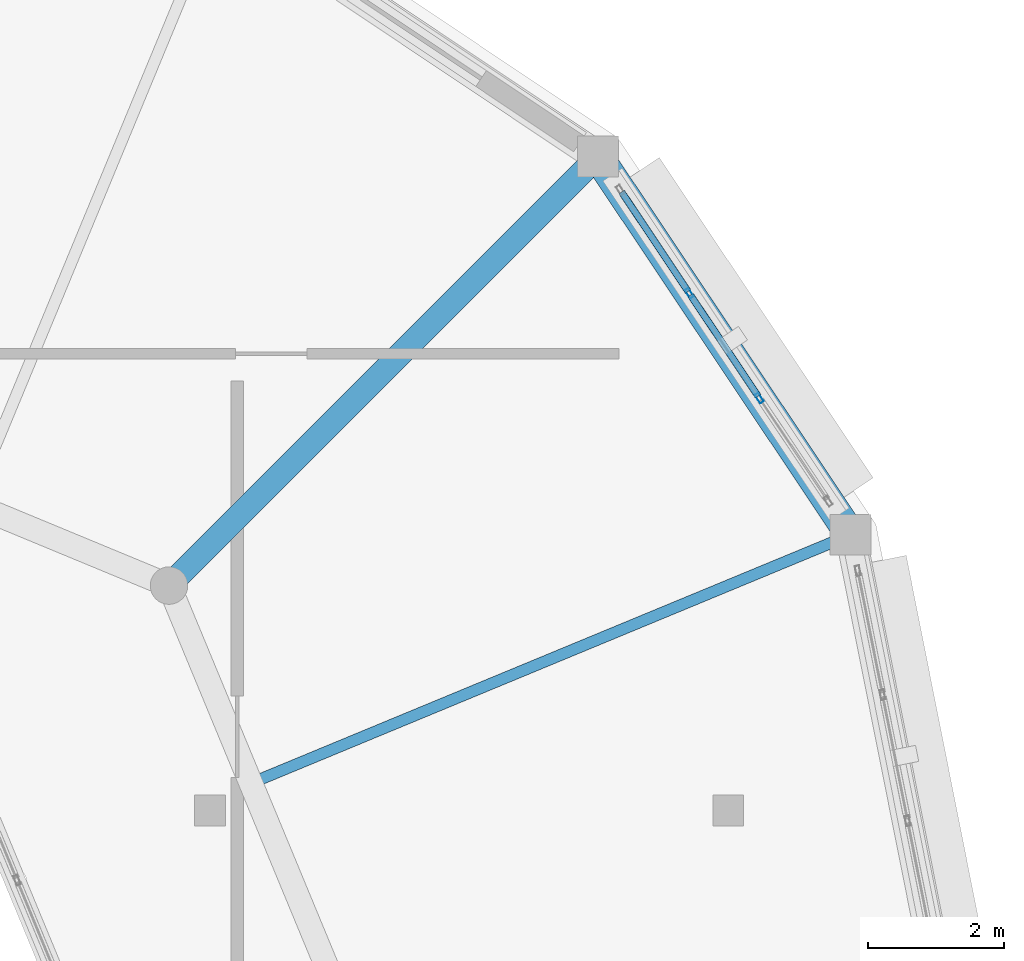
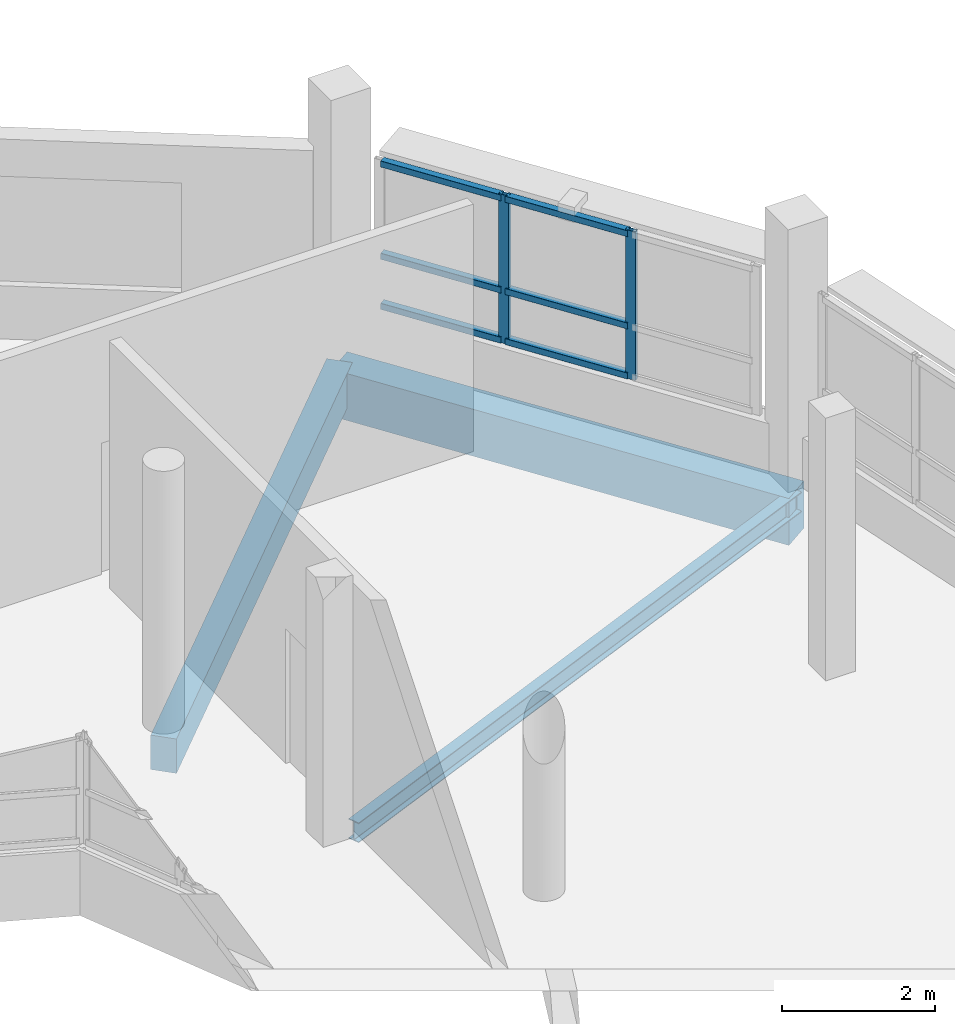
# One storey, part 85 of 128: 8 members, 3 beams, 1 element without a shape of its own.
"""IFC4 building model written with IfcOpenShell, lengths in metres."""

from ifc_helpers import new_model, si_unit, direction, frame, origin, origin_2d, place, context, subcontext, project, spatial, rectangle, hollow_rectangle, i_section, extrude, material, layer, layer_set, material_profile, profile_set, type_object, element, aggregate, save


model = new_model("IFC4")

# Units and contexts
model_context = context("Model", 3, precision=1e-05, world=origin(), true_north=direction((0.0, 1.0)))
body_context = subcontext(model_context, "Body", "Model", "MODEL_VIEW")
ifc_project = project(units=[si_unit("LENGTHUNIT", "METRE"), si_unit("AREAUNIT", "SQUARE_METRE"), si_unit("VOLUMEUNIT", "CUBIC_METRE"), si_unit("PLANEANGLEUNIT", "RADIAN"), si_unit("MASSUNIT", "GRAM", prefix="KILO")], contexts=[model_context])

# Site, building, storey
site_placement = place(None, origin())
site = spatial("IfcSite", under=ifc_project, at=site_placement, CompositionType="ELEMENT")
building_placement = place(site_placement, origin())
building = spatial("IfcBuilding", under=site, at=building_placement, Name="Vespera Passage Community Centre", CompositionType="ELEMENT")
storey_placement = place(building_placement, frame((0.0, 0.0, 4.5)))
storey = spatial("IfcBuildingStorey", under=building, at=storey_placement, Name="L01", CompositionType="ELEMENT", Elevation=4.5)

# Beams
ifc_material_1 = material(Name="Concrete f'c 35 MPa", Category="concrete")
ifc_material_profile_1 = material_profile(ifc_material_1, rectangle(XDim=0.35009765625, YDim=0.550048828125, at=origin_2d()), Name="RC350X550")
ifc_profile_set_1 = profile_set([ifc_material_profile_1], Name="Concrete f'c 35 MPa")
beam_type_1 = type_object("IfcBeamType", Name="BM-J-350X550", PredefinedType="JOIST", material=ifc_profile_set_1)
beam_1_placement = place(storey_placement, frame((146.79833984375, 30.79833984375, -0.514892578125), z_axis=(0.707106781187, 0.707106781187, 0.0), x_axis=(-0.707106781187, 0.707106781187, 0.0)))
element("IfcBeam", 1, at=beam_1_placement, inside=storey, type_object=beam_type_1, Name="V3 L01 Radial Girder 2", PredefinedType="JOIST", context=body_context, shape_type="SweptSolid", body=[
    extrude(rectangle(XDim=0.35009765625, YDim=0.550048828125, at=origin_2d()), origin(), (0.0, 0.0, 1.0), 8.89990234375),
])
ifc_material_2 = material(Name="Steel ASTM A992 Grade 50", Category="steel")
ifc_material_profile_2 = material_profile(ifc_material_2, i_section(OverallWidth=0.16650390625, OverallDepth=0.3173828125, WebThickness=0.007568359375, FlangeThickness=0.01318359375, FilletRadius=0.007568359375, at=origin_2d()), Name="W12X35")
ifc_profile_set_2 = profile_set([ifc_material_profile_2], Name="Steel ASTM A992 Grade 50")
beam_type_2 = type_object("IfcBeamType", Name="BM-J-W12X35", PredefinedType="JOIST", material=ifc_profile_set_2)
beam_2_placement = place(storey_placement, frame((147.9990234375, 27.899169921875, -0.398681640625), z_axis=(0.923880304795, 0.382681567901, 0.0), x_axis=(-0.382681567901, 0.923880304795, 0.0)))
element("IfcBeam", 2, at=beam_2_placement, inside=storey, type_object=beam_type_2, Name="V3 L01 Secondary Joist 1", PredefinedType="JOIST", context=body_context, shape_type="SweptSolid", body=[
    extrude(i_section(OverallWidth=0.16650390625, OverallDepth=0.3173828125, WebThickness=0.007568359375, FlangeThickness=0.01318359375, FilletRadius=0.007568359375, at=origin_2d()), origin(), (0.0, 0.0, 1.0), 9.5244140625),
])
ifc_material_3 = material(Name="Concrete f'c 35 MPa", Category="concrete")
ifc_material_profile_3 = material_profile(ifc_material_3, rectangle(XDim=0.449951171875, YDim=0.75, at=origin_2d()), Name="RC450X750")
ifc_profile_set_3 = profile_set([ifc_material_profile_3], Name="Concrete f'c 35 MPa")
beam_type_3 = type_object("IfcBeamType", Name="BM-SP-450X750E", PredefinedType="SPANDREL", material=ifc_profile_set_3)
beam_3_placement = place(storey_placement, frame((156.79833984375, 31.5439453125, -0.614990234375), z_axis=(-0.55556964639, 0.831470004276, 0.0), x_axis=(-0.831470004276, -0.55556964639, 0.0)))
element("IfcBeam", 3, at=beam_3_placement, inside=storey, type_object=beam_type_3, Name="V3 L01 Spandrel 2", PredefinedType="SPANDREL", context=body_context, shape_type="SweptSolid", body=[
    extrude(rectangle(XDim=0.449951171875, YDim=0.75, at=origin_2d()), origin(), (0.0, 0.0, 1.0), 6.672119140625),
])

# Curtain wall, members
ifc_material_4 = material(Name="Anodized aluminium 6063-T6", Category="aluminium")
ifc_layer = layer(ifc_material_4, 0.159912109375)
ifc_layer_set = layer_set([ifc_layer], Name="Anodized aluminium 6063-T6")
curtain_wall_type = type_object("IfcCurtainWallType", Name="CW-106E", PredefinedType="NOTDEFINED", material=ifc_layer_set)
curtain_wall_placement = place(storey_placement, origin())
curtain_wall = element("IfcCurtainWall", 4, at=curtain_wall_placement, inside=storey, type_object=curtain_wall_type, Name="Dining Drum Ribbon Curtain Wall L01.2", PredefinedType="NOTDEFINED")
ifc_material_5 = material(Name="Anodized aluminium 6063-T6", Category="aluminium")
ifc_material_profile_4 = material_profile(ifc_material_5, hollow_rectangle(XDim=0.06494140625, YDim=0.14990234375, WallThickness=0.00390625, InnerFilletRadius=0.001953125, OuterFilletRadius=0.00390625, at=origin_2d()), Name="ALU150X65X4")
ifc_profile_set_4 = profile_set([ifc_material_profile_4], Name="Anodized aluminium 6063-T6")
member_type_1 = type_object("IfcMemberType", Name="MB-CWM-150E", PredefinedType="MULLION", material=ifc_profile_set_4)
member_1_placement = place(storey_placement, frame((154.430908203125, 35.0869140625, 0.800048828125), z_axis=(0.0, 0.0, 1.0), x_axis=(0.831473308708, 0.555564700918, 0.0)))
member_1 = element("IfcMember", 5, at=member_1_placement, type_object=member_type_1, Name="CW-106E mullion 2", PredefinedType="MULLION", context=body_context, shape_type="SweptSolid", body=[
    extrude(hollow_rectangle(XDim=0.06494140625, YDim=0.14990234375, WallThickness=0.00390625, InnerFilletRadius=0.001953125, OuterFilletRadius=0.00390625, at=origin_2d()), origin(), (0.0, 0.0, 1.0), 2.375),
])
member_2_placement = place(storey_placement, frame((155.458740234375, 33.548583984375, 0.800048828125), z_axis=(0.0, 0.0, 1.0), x_axis=(0.831473308708, 0.555564700918, 0.0)))
member_2 = element("IfcMember", 6, at=member_2_placement, type_object=member_type_1, Name="CW-106E mullion 3", PredefinedType="MULLION", context=body_context, shape_type="SweptSolid", body=[
    extrude(hollow_rectangle(XDim=0.06494140625, YDim=0.14990234375, WallThickness=0.00390625, InnerFilletRadius=0.001953125, OuterFilletRadius=0.00390625, at=origin_2d()), origin(), (0.0, 0.0, 1.0), 2.375),
])
ifc_material_6 = material(Name="Anodized aluminium 6063-T6", Category="aluminium")
ifc_material_profile_5 = material_profile(ifc_material_6, hollow_rectangle(XDim=0.10009765625, YDim=0.10009765625, WallThickness=0.00390625, InnerFilletRadius=0.001953125, OuterFilletRadius=0.00390625, at=origin_2d()), Name="ALU100X100X4")
ifc_profile_set_5 = profile_set([ifc_material_profile_5], Name="Anodized aluminium 6063-T6")
member_type_2 = type_object("IfcMemberType", Name="MB-CWT-100E", PredefinedType="USERDEFINED", material=ifc_profile_set_5)
member_3_placement = place(storey_placement, frame((153.439208984375, 36.571044921875, 0.85009765625), z_axis=(0.555535727386, -0.831492667194, 0.0), x_axis=(0.831492667194, 0.555535727386, 0.0)))
member_3 = element("IfcMember", 7, at=member_3_placement, type_object=member_type_2, Name="CW-106E transom 1.1", ObjectType="TRANSOM", PredefinedType="USERDEFINED", context=body_context, shape_type="SweptSolid", body=[
    extrude(hollow_rectangle(XDim=0.10009765625, YDim=0.10009765625, WallThickness=0.00390625, InnerFilletRadius=0.001953125, OuterFilletRadius=0.00390625, at=origin_2d()), origin(), (0.0, 0.0, 1.0), 1.752685546875),
])
member_4_placement = place(storey_placement, frame((153.439208984375, 36.571044921875, 1.64990234375), z_axis=(0.555535727386, -0.831492667194, 0.0), x_axis=(0.831492667194, 0.555535727386, 0.0)))
member_4 = element("IfcMember", 8, at=member_4_placement, type_object=member_type_2, Name="CW-106E transom 1.2", ObjectType="TRANSOM", PredefinedType="USERDEFINED", context=body_context, shape_type="SweptSolid", body=[
    extrude(hollow_rectangle(XDim=0.10009765625, YDim=0.10009765625, WallThickness=0.00390625, InnerFilletRadius=0.001953125, OuterFilletRadius=0.00390625, at=origin_2d()), origin(), (0.0, 0.0, 1.0), 1.752685546875),
])
member_5_placement = place(storey_placement, frame((153.439208984375, 36.571044921875, 3.125), z_axis=(0.555535727386, -0.831492667194, 0.0), x_axis=(0.831492667194, 0.555535727386, 0.0)))
member_5 = element("IfcMember", 9, at=member_5_placement, type_object=member_type_2, Name="CW-106E transom 1.3", ObjectType="TRANSOM", PredefinedType="USERDEFINED", context=body_context, shape_type="SweptSolid", body=[
    extrude(hollow_rectangle(XDim=0.10009765625, YDim=0.10009765625, WallThickness=0.00390625, InnerFilletRadius=0.001953125, OuterFilletRadius=0.00390625, at=origin_2d()), origin(), (0.0, 0.0, 1.0), 1.752685546875),
])
member_6_placement = place(storey_placement, frame((154.448974609375, 35.059814453125, 0.85009765625), z_axis=(0.555520488502, -0.831502848374, 0.0), x_axis=(0.831502848374, 0.555520488502, 0.0)))
member_6 = element("IfcMember", 10, at=member_6_placement, type_object=member_type_2, Name="CW-106E transom 2.1", ObjectType="TRANSOM", PredefinedType="USERDEFINED", context=body_context, shape_type="SweptSolid", body=[
    extrude(hollow_rectangle(XDim=0.10009765625, YDim=0.10009765625, WallThickness=0.00390625, InnerFilletRadius=0.001953125, OuterFilletRadius=0.00390625, at=origin_2d()), origin(), (0.0, 0.0, 1.0), 1.78515625),
])
member_7_placement = place(storey_placement, frame((154.448974609375, 35.059814453125, 1.64990234375), z_axis=(0.555520488502, -0.831502848374, 0.0), x_axis=(0.831502848374, 0.555520488502, 0.0)))
member_7 = element("IfcMember", 11, at=member_7_placement, type_object=member_type_2, Name="CW-106E transom 2.2", ObjectType="TRANSOM", PredefinedType="USERDEFINED", context=body_context, shape_type="SweptSolid", body=[
    extrude(hollow_rectangle(XDim=0.10009765625, YDim=0.10009765625, WallThickness=0.00390625, InnerFilletRadius=0.001953125, OuterFilletRadius=0.00390625, at=origin_2d()), origin(), (0.0, 0.0, 1.0), 1.78515625),
])
member_8_placement = place(storey_placement, frame((154.448974609375, 35.059814453125, 3.125), z_axis=(0.555520488502, -0.831502848374, 0.0), x_axis=(0.831502848374, 0.555520488502, 0.0)))
member_8 = element("IfcMember", 12, at=member_8_placement, type_object=member_type_2, Name="CW-106E transom 2.3", ObjectType="TRANSOM", PredefinedType="USERDEFINED", context=body_context, shape_type="SweptSolid", body=[
    extrude(hollow_rectangle(XDim=0.10009765625, YDim=0.10009765625, WallThickness=0.00390625, InnerFilletRadius=0.001953125, OuterFilletRadius=0.00390625, at=origin_2d()), origin(), (0.0, 0.0, 1.0), 1.78515625),
])
aggregate(curtain_wall, [member_1, member_2, member_3, member_4, member_5, member_6, member_7, member_8])

save(model, "model.ifc")
